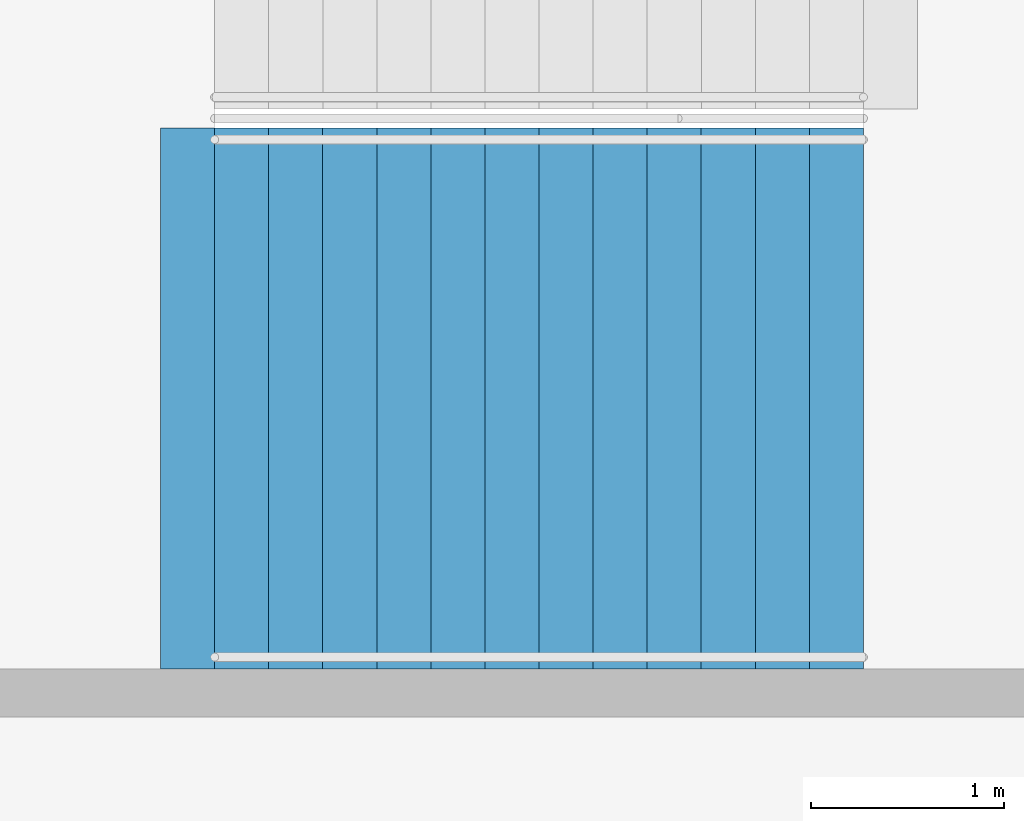
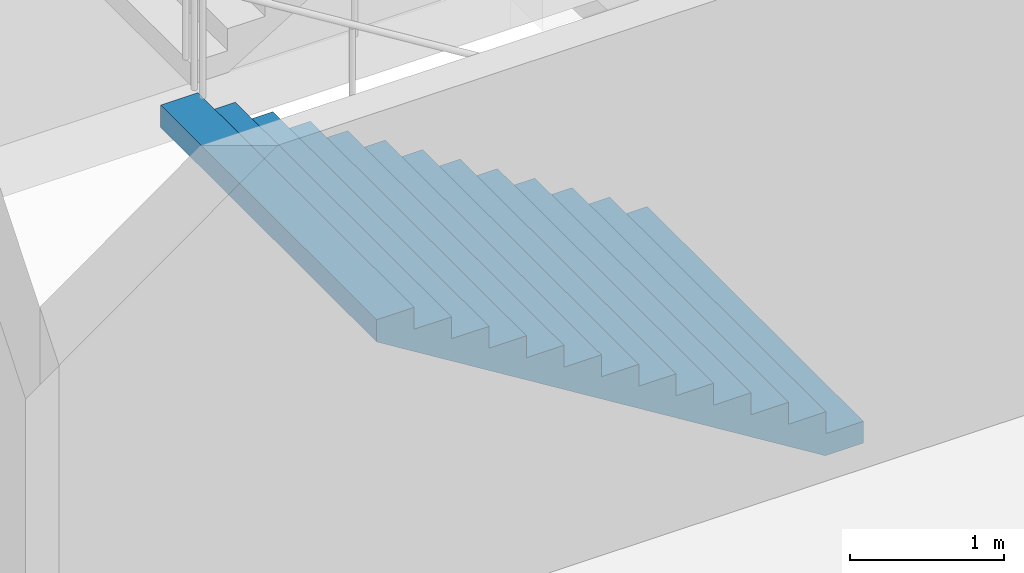
# One storey, part 113 of 199: 1 stair flight, 1 element without a shape of its own.
"""IFC4 building model written with IfcOpenShell, lengths in metres."""

import ifcopenshell
import ifcopenshell.guid

model = None  # the IFC model being written
_history = None  # IfcOwnerHistory: only IFC2X3 demands one
_inside = {}  # id of a spatial element -> (the spatial element, [elements in it])
_under = {}  # id of a project, library or spatial element -> (it, [spatial elements below it])
_declared = {}  # id of a project -> (the project, [libraries it declares])
_typed = {}  # id of a type object -> (the type object, [elements of that type])
_made_of = {}  # id of a material, layer set ... -> (it, [elements and type objects made of it])


def new_model(schema):
    """Start an empty IFC model of exactly this schema.

    Asked for "IFC4X3", IfcOpenShell would pick the latest addendum, in which some entities
    have other attributes; the version numbers below select the first issue.
    IFC2X3 requires an IfcOwnerHistory on every rooted entity: one is made here for all.
    """
    global model, _history
    if schema == "IFC4X3":
        model = ifcopenshell.file(schema_version=(4, 3, 0, 0))
    else:
        model = ifcopenshell.file(schema=schema)
    _inside.clear()
    _under.clear()
    _declared.clear()
    _typed.clear()
    _made_of.clear()
    _history = None
    if model.schema == "IFC2X3":
        org = make("IfcOrganization", Name="unknown")
        user = make(
            "IfcPersonAndOrganization",
            ThePerson=make("IfcPerson", FamilyName="unknown"),
            TheOrganization=org,
        )
        app = make(
            "IfcApplication",
            ApplicationDeveloper=org,
            Version="unknown",
            ApplicationFullName="unknown",
            ApplicationIdentifier="unknown",
        )
        _history = make(
            "IfcOwnerHistory",
            OwningUser=user,
            OwningApplication=app,
            ChangeAction="ADDED",
            CreationDate=0,
        )
    return model


def make(cls, **values):
    """One entity of the class cls with the attributes given. An attribute that is None is left unset."""
    return model.create_entity(
        cls, **{name: value for name, value in values.items() if value is not None}
    )


def rooted(cls, **values):
    """An entity with a GlobalId (a new one), such as an element, a storey or a relation."""
    return make(cls, GlobalId=ifcopenshell.guid.new(), OwnerHistory=_history, **values)


def si_unit(unit_type, name, prefix=None):
    """IfcSIUnit, for example si_unit("LENGTHUNIT", "METRE", prefix="MILLI")."""
    return make("IfcSIUnit", UnitType=unit_type, Prefix=prefix, Name=name)


def assignment(units):
    """IfcUnitAssignment: the units of a project."""
    return None if units is None else make("IfcUnitAssignment", Units=units)


def point(xyz):
    """IfcCartesianPoint."""
    return None if xyz is None else make("IfcCartesianPoint", Coordinates=xyz)


def direction(xyz):
    """IfcDirection."""
    return None if xyz is None else make("IfcDirection", DirectionRatios=xyz)


def frame(location, z_axis=None, x_axis=None):
    """IfcAxis2Placement3D, a coordinate frame: its origin and axes. An axis left out is left unset."""
    return make(
        "IfcAxis2Placement3D",
        Location=point(location),
        Axis=direction(z_axis),
        RefDirection=direction(x_axis),
    )


def origin():
    """The frame at (0, 0, 0) with its axes left unset."""
    return frame((0.0, 0.0, 0.0))


def place(relative_to, where):
    """IfcLocalPlacement: puts the frame where relative to a parent placement (None: the world)."""
    return make(
        "IfcLocalPlacement", PlacementRelTo=relative_to, RelativePlacement=where
    )


def context(
    kind, dimensions, precision=None, world=None, true_north=None, identifier=None
):
    """IfcGeometricRepresentationContext, for example the 3D "Model" context."""
    return make(
        "IfcGeometricRepresentationContext",
        ContextIdentifier=identifier,
        ContextType=kind,
        CoordinateSpaceDimension=dimensions,
        Precision=precision,
        WorldCoordinateSystem=world,
        TrueNorth=true_north,
    )


def subcontext(parent, identifier, kind, view, scale=None):
    """IfcGeometricRepresentationSubContext, for example "Body" below "Model"."""
    return make(
        "IfcGeometricRepresentationSubContext",
        ContextIdentifier=identifier,
        ContextType=kind,
        ParentContext=parent,
        TargetScale=scale,
        TargetView=view,
    )


def project(units=None, contexts=None):
    """IfcProject with its units and contexts."""
    return rooted(
        "IfcProject",
        Name="project",
        RepresentationContexts=contexts,
        UnitsInContext=assignment(units),
    )


def spatial(cls, under=None, at=None, **own):
    """A site, building, storey or space (cls), placed at a placement, below another one or the project."""
    s = rooted(cls, ObjectPlacement=at, **own)
    if under is not None:
        _under.setdefault(under.id(), (under, []))[1].append(s)
    return s


def faces_of(points, faces, orient=None, outer=None):
    """IfcFace entities. A face is a list of loops; a loop is a list of indices into points, from 0.

    orient and outer hold one flag for each loop. By default every Orientation is true, the
    first loop of a face is its IfcFaceOuterBound and the others are IfcFaceBound.
    """
    made = []
    for i, loops in enumerate(faces):
        bounds = []
        for j, loop in enumerate(loops):
            is_outer = j == 0 if outer is None else outer[i][j]
            bounds.append(
                make(
                    "IfcFaceOuterBound" if is_outer else "IfcFaceBound",
                    Bound=make("IfcPolyLoop", Polygon=[points[k] for k in loop]),
                    Orientation=True if orient is None else orient[i][j],
                )
            )
        made.append(make("IfcFace", Bounds=bounds))
    return made


def faceted_brep(points, faces, orient=None, outer=None, voids=None):
    """IfcFacetedBrep: a solid bounded by flat faces; with voids (closed shells), ...WithVoids."""
    shared = [point(p) for p in points]
    hull = make("IfcClosedShell", CfsFaces=faces_of(shared, faces, orient, outer))
    if voids is None:
        return make("IfcFacetedBrep", Outer=hull)
    return make(
        "IfcFacetedBrepWithVoids",
        Outer=hull,
        Voids=[
            make(cls, CfsFaces=faces_of(shared, fs, o, b)) for cls, fs, o, b in voids
        ],
    )


def shape(context_of_items, identifier, shape_type, items):
    """IfcShapeRepresentation: the items that make up one representation, for example the "Body"."""
    return make(
        "IfcShapeRepresentation",
        ContextOfItems=context_of_items,
        RepresentationIdentifier=identifier,
        RepresentationType=shape_type,
        Items=items,
    )


def material(Name=None, Category=None):
    """IfcMaterial."""
    return make("IfcMaterial", Name=Name, Category=Category)


def made_of(thing, what):
    """Note that an element or type object is made of a material, layer set ...; save() writes the relation."""
    if what is not None:
        _made_of.setdefault(what.id(), (what, []))[1].append(thing)
    return thing


def type_object(cls, material=None, **own):
    """A type object (cls), such as IfcWallType, which elements share."""
    return made_of(rooted(cls, **own), material)


def element(
    cls,
    number,
    at=None,
    inside=None,
    cuts=None,
    type_object=None,
    material=None,
    context=None,
    identifier="Body",
    shape_type=None,
    held_by="IfcProductDefinitionShape",
    body=None,
    shapes=None,
    **own,
):
    """One element of the class cls, such as IfcWall. Its Tag is "e" and its number.

    at: its placement. inside: the storey or other place that contains it. cuts: it is an
    opening in that element (IfcRelVoidsElement). A single representation is given by context,
    identifier, shape_type and body (its items); several are given by shapes. held_by: the class
    of the entity that holds the representations. save() writes the other relations.
    """
    e = rooted(cls, Tag="e%d" % number, ObjectPlacement=at, **own)
    if body is not None:
        shapes = [shape(context, identifier, shape_type, body)]
    if shapes is not None:
        e.Representation = make(held_by, Representations=shapes)
    if inside is not None:
        _inside.setdefault(inside.id(), (inside, []))[1].append(e)
    if cuts is not None:
        rooted(
            "IfcRelVoidsElement", RelatingBuildingElement=cuts, RelatedOpeningElement=e
        )
    if type_object is not None:
        _typed.setdefault(type_object.id(), (type_object, []))[1].append(e)
    return made_of(e, material)


def aggregate(whole, parts):
    """IfcRelAggregates: a whole, such as a stair, and the parts it consists of."""
    return rooted("IfcRelAggregates", RelatingObject=whole, RelatedObjects=parts)


def save(model, path):
    """Write the relations noted so far, then the file.

    IfcRelAggregates (storeys below a building ...), IfcRelContainedInSpatialStructure (elements
    in a storey), IfcRelDefinesByType, IfcRelAssociatesMaterial and IfcRelDeclares: one each for
    every whole, place, type object, material and project.
    """
    for whole, parts in _under.values():
        aggregate(whole, parts)
    for where, things in _inside.values():
        rooted(
            "IfcRelContainedInSpatialStructure",
            RelatedElements=things,
            RelatingStructure=where,
        )
    for kind, things in _typed.values():
        rooted("IfcRelDefinesByType", RelatedObjects=things, RelatingType=kind)
    for what, things in _made_of.values():
        rooted("IfcRelAssociatesMaterial", RelatedObjects=things, RelatingMaterial=what)
    for by, libraries in _declared.values():
        rooted("IfcRelDeclares", RelatingContext=by, RelatedDefinitions=libraries)
    model.write(path)


model = new_model("IFC4")

# Units and contexts
model_context = context("Model", 3, precision=1e-05, world=origin(), true_north=direction((0.0, 1.0)))
body_context = subcontext(model_context, "Body", "Model", "MODEL_VIEW")
ifc_project = project(units=[si_unit("LENGTHUNIT", "METRE"), si_unit("AREAUNIT", "SQUARE_METRE"), si_unit("VOLUMEUNIT", "CUBIC_METRE"), si_unit("PLANEANGLEUNIT", "RADIAN"), si_unit("MASSUNIT", "GRAM", prefix="KILO")], contexts=[model_context])

# Site, building, storey
site_placement = place(None, origin())
site = spatial("IfcSite", under=ifc_project, at=site_placement, CompositionType="ELEMENT")
building_placement = place(site_placement, origin())
building = spatial("IfcBuilding", under=site, at=building_placement, Name="Ogive Plaza Stadium", CompositionType="ELEMENT")
storey_placement = place(building_placement, frame((0.0, 0.0, 9.0)))
storey = spatial("IfcBuildingStorey", under=building, at=storey_placement, Name="L02", CompositionType="ELEMENT", Elevation=9.0)

# Stair, stair flight
ifc_material_1 = material(Name="Concrete C40/50", Category="concrete")
stair_type = type_object("IfcStairType", Name="Exit stair", PredefinedType="STRAIGHT_RUN_STAIR", material=ifc_material_1)
stair_placement = place(storey_placement, origin())
stair = element("IfcStair", 1, at=stair_placement, inside=storey, type_object=stair_type, Name="Exit stair ST22B L02 to L03", PredefinedType="STRAIGHT_RUN_STAIR")
ifc_material_2 = material(Name="Concrete C40/50", Category="concrete")
stair_flight_type = type_object("IfcStairFlightType", Name="Exit stair flight", PredefinedType="STRAIGHT", material=ifc_material_2)
stair_flight_placement = place(storey_placement, frame((-76.35009765625, -41.925048828125, 0.0), z_axis=(0.0, 0.0, 1.0), x_axis=(-1.0, 0.0, 0.0)))
stair_flight = element("IfcStairFlight", 2, at=stair_flight_placement, type_object=stair_flight_type, Name="ST22B flight 1", NumberOfRisers=13, NumberOfTreads=12, PredefinedType="STRAIGHT", RiserHeight=0.173076923, TreadLength=0.28, context=body_context, shape_type="Brep", body=[
    faceted_brep([(0.28515625, -1.39990234375, 0.0), (3.639892578125, -1.39990234375, 2.07373046875), (3.639892578125, -1.39990234375, 2.25), (3.360107421875, -1.39990234375, 2.25), (3.360107421875, -1.39990234375, 2.076904296875), (3.080078125, -1.39990234375, 2.076904296875), (3.080078125, -1.39990234375, 1.90380859375), (2.800048828125, -1.39990234375, 1.90380859375), (2.800048828125, -1.39990234375, 1.730712890625), (2.52001953125, -1.39990234375, 1.730712890625), (2.52001953125, -1.39990234375, 1.5576171875), (2.239990234375, -1.39990234375, 1.5576171875), (2.239990234375, -1.39990234375, 1.384521484375), (1.9599609375, -1.39990234375, 1.384521484375), (1.9599609375, -1.39990234375, 1.21142578125), (1.679931640625, -1.39990234375, 1.21142578125), (1.679931640625, -1.39990234375, 1.03857421875), (1.39990234375, -1.39990234375, 1.03857421875), (1.39990234375, -1.39990234375, 0.865478515625), (1.1201171875, -1.39990234375, 0.865478515625), (1.1201171875, -1.39990234375, 0.6923828125), (0.840087890625, -1.39990234375, 0.6923828125), (0.840087890625, -1.39990234375, 0.519287109375), (0.56005859375, -1.39990234375, 0.519287109375), (0.56005859375, -1.39990234375, 0.34619140625), (0.280029296875, -1.39990234375, 0.34619140625), (0.280029296875, -1.39990234375, 0.173095703125), (0.0, -1.39990234375, 0.173095703125), (0.0, -1.39990234375, 0.0), (0.0, 1.39990234375, 0.0), (0.0, 1.39990234375, 0.173095703125), (0.280029296875, 1.39990234375, 0.173095703125), (0.280029296875, 1.39990234375, 0.34619140625), (0.56005859375, 1.39990234375, 0.34619140625), (0.56005859375, 1.39990234375, 0.519287109375), (0.840087890625, 1.39990234375, 0.519287109375), (0.840087890625, 1.39990234375, 0.6923828125), (1.1201171875, 1.39990234375, 0.6923828125), (1.1201171875, 1.39990234375, 0.865478515625), (1.39990234375, 1.39990234375, 0.865478515625), (1.39990234375, 1.39990234375, 1.03857421875), (1.679931640625, 1.39990234375, 1.03857421875), (1.679931640625, 1.39990234375, 1.21142578125), (1.9599609375, 1.39990234375, 1.21142578125), (1.9599609375, 1.39990234375, 1.384521484375), (2.239990234375, 1.39990234375, 1.384521484375), (2.239990234375, 1.39990234375, 1.5576171875), (2.52001953125, 1.39990234375, 1.5576171875), (2.52001953125, 1.39990234375, 1.730712890625), (2.800048828125, 1.39990234375, 1.730712890625), (2.800048828125, 1.39990234375, 1.90380859375), (3.080078125, 1.39990234375, 1.90380859375), (3.080078125, 1.39990234375, 2.076904296875), (3.360107421875, 1.39990234375, 2.076904296875), (3.360107421875, 1.39990234375, 2.25), (3.639892578125, 1.39990234375, 2.25), (3.639892578125, 1.39990234375, 2.07373046875), (0.28515625, 1.39990234375, 0.0), (0.28515625, -1.0888671875, 0.0), (3.639892578125, -1.0888671875, 2.07373046875), (0.28515625, -0.77783203125, 0.0), (3.639892578125, -0.77783203125, 2.07373046875), (0.28515625, -0.466796875, 0.0), (3.639892578125, -0.466796875, 2.07373046875), (0.28515625, -0.155517578125, 0.0), (3.639892578125, -0.155517578125, 2.07373046875), (0.28515625, 0.155517578125, 0.0), (3.639892578125, 0.155517578125, 2.07373046875), (0.28515625, 0.466796875, 0.0), (3.639892578125, 0.466796875, 2.07373046875), (0.28515625, 0.77783203125, 0.0), (3.639892578125, 0.77783203125, 2.07373046875), (0.28515625, 1.0888671875, 0.0), (3.639892578125, 1.0888671875, 2.07373046875), (3.639892578125, -1.0888671875, 2.25), (3.639892578125, -0.77783203125, 2.25), (3.639892578125, -0.466796875, 2.25), (3.639892578125, -0.155517578125, 2.25), (3.639892578125, 0.155517578125, 2.25), (3.639892578125, 0.466796875, 2.25), (3.639892578125, 0.77783203125, 2.25), (3.639892578125, 1.0888671875, 2.25), (3.360107421875, -1.0888671875, 2.25), (3.360107421875, -0.77783203125, 2.25), (3.360107421875, -0.466796875, 2.25), (3.360107421875, -0.155517578125, 2.25), (3.360107421875, 0.155517578125, 2.25), (3.360107421875, 0.466796875, 2.25), (3.360107421875, 0.77783203125, 2.25), (3.360107421875, 1.0888671875, 2.25), (3.360107421875, -1.0888671875, 2.076904296875), (3.360107421875, -0.77783203125, 2.076904296875), (3.360107421875, -0.466796875, 2.076904296875), (3.360107421875, -0.155517578125, 2.076904296875), (3.360107421875, 0.155517578125, 2.076904296875), (3.360107421875, 0.466796875, 2.076904296875), (3.360107421875, 0.77783203125, 2.076904296875), (3.360107421875, 1.0888671875, 2.076904296875), (3.080078125, -1.0888671875, 2.076904296875), (3.080078125, -0.77783203125, 2.076904296875), (3.080078125, -0.466796875, 2.076904296875), (3.080078125, -0.155517578125, 2.076904296875), (3.080078125, 0.155517578125, 2.076904296875), (3.080078125, 0.466796875, 2.076904296875), (3.080078125, 0.77783203125, 2.076904296875), (3.080078125, 1.0888671875, 2.076904296875), (3.080078125, -1.0888671875, 1.90380859375), (3.080078125, -0.77783203125, 1.90380859375), (3.080078125, -0.466796875, 1.90380859375), (3.080078125, -0.155517578125, 1.90380859375), (3.080078125, 0.155517578125, 1.90380859375), (3.080078125, 0.466796875, 1.90380859375), (3.080078125, 0.77783203125, 1.90380859375), (3.080078125, 1.0888671875, 1.90380859375), (2.800048828125, -1.0888671875, 1.90380859375), (2.800048828125, -0.77783203125, 1.90380859375), (2.800048828125, -0.466796875, 1.90380859375), (2.800048828125, -0.155517578125, 1.90380859375), (2.800048828125, 0.155517578125, 1.90380859375), (2.800048828125, 0.466796875, 1.90380859375), (2.800048828125, 0.77783203125, 1.90380859375), (2.800048828125, 1.0888671875, 1.90380859375), (2.800048828125, -1.0888671875, 1.730712890625), (2.800048828125, -0.77783203125, 1.730712890625), (2.800048828125, -0.466796875, 1.730712890625), (2.800048828125, -0.155517578125, 1.730712890625), (2.800048828125, 0.155517578125, 1.730712890625), (2.800048828125, 0.466796875, 1.730712890625), (2.800048828125, 0.77783203125, 1.730712890625), (2.800048828125, 1.0888671875, 1.730712890625), (2.52001953125, -1.0888671875, 1.730712890625), (2.52001953125, -0.77783203125, 1.730712890625), (2.52001953125, -0.466796875, 1.730712890625), (2.52001953125, -0.155517578125, 1.730712890625), (2.52001953125, 0.155517578125, 1.730712890625), (2.52001953125, 0.466796875, 1.730712890625), (2.52001953125, 0.77783203125, 1.730712890625), (2.52001953125, 1.0888671875, 1.730712890625), (2.52001953125, -1.0888671875, 1.5576171875), (2.52001953125, -0.77783203125, 1.5576171875), (2.52001953125, -0.466796875, 1.5576171875), (2.52001953125, -0.155517578125, 1.5576171875), (2.52001953125, 0.155517578125, 1.5576171875), (2.52001953125, 0.466796875, 1.5576171875), (2.52001953125, 0.77783203125, 1.5576171875), (2.52001953125, 1.0888671875, 1.5576171875), (2.239990234375, -1.0888671875, 1.5576171875), (2.239990234375, -0.77783203125, 1.5576171875), (2.239990234375, -0.466796875, 1.5576171875), (2.239990234375, -0.155517578125, 1.5576171875), (2.239990234375, 0.155517578125, 1.5576171875), (2.239990234375, 0.466796875, 1.5576171875), (2.239990234375, 0.77783203125, 1.5576171875), (2.239990234375, 1.0888671875, 1.5576171875), (2.239990234375, -1.0888671875, 1.384521484375), (2.239990234375, -0.77783203125, 1.384521484375), (2.239990234375, -0.466796875, 1.384521484375), (2.239990234375, -0.155517578125, 1.384521484375), (2.239990234375, 0.155517578125, 1.384521484375), (2.239990234375, 0.466796875, 1.384521484375), (2.239990234375, 0.77783203125, 1.384521484375), (2.239990234375, 1.0888671875, 1.384521484375), (1.9599609375, -1.0888671875, 1.384521484375), (1.9599609375, -0.77783203125, 1.384521484375), (1.9599609375, -0.466796875, 1.384521484375), (1.9599609375, -0.155517578125, 1.384521484375), (1.9599609375, 0.155517578125, 1.384521484375), (1.9599609375, 0.466796875, 1.384521484375), (1.9599609375, 0.77783203125, 1.384521484375), (1.9599609375, 1.0888671875, 1.384521484375), (1.9599609375, -1.0888671875, 1.21142578125), (1.9599609375, -0.77783203125, 1.21142578125), (1.9599609375, -0.466796875, 1.21142578125), (1.9599609375, -0.155517578125, 1.21142578125), (1.9599609375, 0.155517578125, 1.21142578125), (1.9599609375, 0.466796875, 1.21142578125), (1.9599609375, 0.77783203125, 1.21142578125), (1.9599609375, 1.0888671875, 1.21142578125), (1.679931640625, -1.0888671875, 1.21142578125), (1.679931640625, -0.77783203125, 1.21142578125), (1.679931640625, -0.466796875, 1.21142578125), (1.679931640625, -0.155517578125, 1.21142578125), (1.679931640625, 0.155517578125, 1.21142578125), (1.679931640625, 0.466796875, 1.21142578125), (1.679931640625, 0.77783203125, 1.21142578125), (1.679931640625, 1.0888671875, 1.21142578125), (1.679931640625, -1.0888671875, 1.03857421875), (1.679931640625, -0.77783203125, 1.03857421875), (1.679931640625, -0.466796875, 1.03857421875), (1.679931640625, -0.155517578125, 1.03857421875), (1.679931640625, 0.155517578125, 1.03857421875), (1.679931640625, 0.466796875, 1.03857421875), (1.679931640625, 0.77783203125, 1.03857421875), (1.679931640625, 1.0888671875, 1.03857421875), (1.39990234375, -1.0888671875, 1.03857421875), (1.39990234375, -0.77783203125, 1.03857421875), (1.39990234375, -0.466796875, 1.03857421875), (1.39990234375, -0.155517578125, 1.03857421875), (1.39990234375, 0.155517578125, 1.03857421875), (1.39990234375, 0.466796875, 1.03857421875), (1.39990234375, 0.77783203125, 1.03857421875), (1.39990234375, 1.0888671875, 1.03857421875), (1.39990234375, -1.0888671875, 0.865478515625), (1.39990234375, -0.77783203125, 0.865478515625), (1.39990234375, -0.466796875, 0.865478515625), (1.39990234375, -0.155517578125, 0.865478515625), (1.39990234375, 0.155517578125, 0.865478515625), (1.39990234375, 0.466796875, 0.865478515625), (1.39990234375, 0.77783203125, 0.865478515625), (1.39990234375, 1.0888671875, 0.865478515625), (1.1201171875, -1.0888671875, 0.865478515625), (1.1201171875, -0.77783203125, 0.865478515625), (1.1201171875, -0.466796875, 0.865478515625), (1.1201171875, -0.155517578125, 0.865478515625), (1.1201171875, 0.155517578125, 0.865478515625), (1.1201171875, 0.466796875, 0.865478515625), (1.1201171875, 0.77783203125, 0.865478515625), (1.1201171875, 1.0888671875, 0.865478515625), (1.1201171875, -1.0888671875, 0.6923828125), (1.1201171875, -0.77783203125, 0.6923828125), (1.1201171875, -0.466796875, 0.6923828125), (1.1201171875, -0.155517578125, 0.6923828125), (1.1201171875, 0.155517578125, 0.6923828125), (1.1201171875, 0.466796875, 0.6923828125), (1.1201171875, 0.77783203125, 0.6923828125), (1.1201171875, 1.0888671875, 0.6923828125), (0.840087890625, -1.0888671875, 0.6923828125), (0.840087890625, -0.77783203125, 0.6923828125), (0.840087890625, -0.466796875, 0.6923828125), (0.840087890625, -0.155517578125, 0.6923828125), (0.840087890625, 0.155517578125, 0.6923828125), (0.840087890625, 0.466796875, 0.6923828125), (0.840087890625, 0.77783203125, 0.6923828125), (0.840087890625, 1.0888671875, 0.6923828125), (0.840087890625, -1.0888671875, 0.519287109375), (0.840087890625, -0.77783203125, 0.519287109375), (0.840087890625, -0.466796875, 0.519287109375), (0.840087890625, -0.155517578125, 0.519287109375), (0.840087890625, 0.155517578125, 0.519287109375), (0.840087890625, 0.466796875, 0.519287109375), (0.840087890625, 0.77783203125, 0.519287109375), (0.840087890625, 1.0888671875, 0.519287109375), (0.56005859375, -1.0888671875, 0.519287109375), (0.56005859375, -0.77783203125, 0.519287109375), (0.56005859375, -0.466796875, 0.519287109375), (0.56005859375, -0.155517578125, 0.519287109375), (0.56005859375, 0.155517578125, 0.519287109375), (0.56005859375, 0.466796875, 0.519287109375), (0.56005859375, 0.77783203125, 0.519287109375), (0.56005859375, 1.0888671875, 0.519287109375), (0.56005859375, -1.0888671875, 0.34619140625), (0.56005859375, -0.77783203125, 0.34619140625), (0.56005859375, -0.466796875, 0.34619140625), (0.56005859375, -0.155517578125, 0.34619140625), (0.56005859375, 0.155517578125, 0.34619140625), (0.56005859375, 0.466796875, 0.34619140625), (0.56005859375, 0.77783203125, 0.34619140625), (0.56005859375, 1.0888671875, 0.34619140625), (0.280029296875, -1.0888671875, 0.34619140625), (0.280029296875, -0.77783203125, 0.34619140625), (0.280029296875, -0.466796875, 0.34619140625), (0.280029296875, -0.155517578125, 0.34619140625), (0.280029296875, 0.155517578125, 0.34619140625), (0.280029296875, 0.466796875, 0.34619140625), (0.280029296875, 0.77783203125, 0.34619140625), (0.280029296875, 1.0888671875, 0.34619140625), (0.280029296875, -1.0888671875, 0.173095703125), (0.280029296875, -0.77783203125, 0.173095703125), (0.280029296875, -0.466796875, 0.173095703125), (0.280029296875, -0.155517578125, 0.173095703125), (0.280029296875, 0.155517578125, 0.173095703125), (0.280029296875, 0.466796875, 0.173095703125), (0.280029296875, 0.77783203125, 0.173095703125), (0.280029296875, 1.0888671875, 0.173095703125), (0.0, -1.0888671875, 0.173095703125), (0.0, -0.77783203125, 0.173095703125), (0.0, -0.466796875, 0.173095703125), (0.0, -0.155517578125, 0.173095703125), (0.0, 0.155517578125, 0.173095703125), (0.0, 0.466796875, 0.173095703125), (0.0, 0.77783203125, 0.173095703125), (0.0, 1.0888671875, 0.173095703125), (0.0, -1.0888671875, 0.0), (0.0, -0.77783203125, 0.0), (0.0, -0.466796875, 0.0), (0.0, -0.155517578125, 0.0), (0.0, 0.155517578125, 0.0), (0.0, 0.466796875, 0.0), (0.0, 0.77783203125, 0.0), (0.0, 1.0888671875, 0.0)], [[[0, 1, 2, 3, 4, 5, 6, 7, 8, 9, 10, 11, 12, 13, 14, 15, 16, 17, 18, 19, 20, 21, 22, 23, 24, 25, 26, 27, 28]], [[29, 30, 31, 32, 33, 34, 35, 36, 37, 38, 39, 40, 41, 42, 43, 44, 45, 46, 47, 48, 49, 50, 51, 52, 53, 54, 55, 56, 57]], [[0, 58, 59, 1]], [[58, 60, 61, 59]], [[60, 62, 63, 61]], [[62, 64, 65, 63]], [[64, 66, 67, 65]], [[66, 68, 69, 67]], [[68, 70, 71, 69]], [[70, 72, 73, 71]], [[72, 57, 56, 73]], [[1, 59, 74, 2]], [[59, 61, 75, 74]], [[61, 63, 76, 75]], [[63, 65, 77, 76]], [[65, 67, 78, 77]], [[67, 69, 79, 78]], [[69, 71, 80, 79]], [[71, 73, 81, 80]], [[73, 56, 55, 81]], [[2, 74, 82, 3]], [[74, 75, 83, 82]], [[75, 76, 84, 83]], [[76, 77, 85, 84]], [[77, 78, 86, 85]], [[78, 79, 87, 86]], [[79, 80, 88, 87]], [[80, 81, 89, 88]], [[81, 55, 54, 89]], [[3, 82, 90, 4]], [[82, 83, 91, 90]], [[83, 84, 92, 91]], [[84, 85, 93, 92]], [[85, 86, 94, 93]], [[86, 87, 95, 94]], [[87, 88, 96, 95]], [[88, 89, 97, 96]], [[89, 54, 53, 97]], [[4, 90, 98, 5]], [[90, 91, 99, 98]], [[91, 92, 100, 99]], [[92, 93, 101, 100]], [[93, 94, 102, 101]], [[94, 95, 103, 102]], [[95, 96, 104, 103]], [[96, 97, 105, 104]], [[97, 53, 52, 105]], [[5, 98, 106, 6]], [[98, 99, 107, 106]], [[99, 100, 108, 107]], [[100, 101, 109, 108]], [[101, 102, 110, 109]], [[102, 103, 111, 110]], [[103, 104, 112, 111]], [[104, 105, 113, 112]], [[105, 52, 51, 113]], [[6, 106, 114, 7]], [[106, 107, 115, 114]], [[107, 108, 116, 115]], [[108, 109, 117, 116]], [[109, 110, 118, 117]], [[110, 111, 119, 118]], [[111, 112, 120, 119]], [[112, 113, 121, 120]], [[113, 51, 50, 121]], [[7, 114, 122, 8]], [[114, 115, 123, 122]], [[115, 116, 124, 123]], [[116, 117, 125, 124]], [[117, 118, 126, 125]], [[118, 119, 127, 126]], [[119, 120, 128, 127]], [[120, 121, 129, 128]], [[121, 50, 49, 129]], [[8, 122, 130, 9]], [[122, 123, 131, 130]], [[123, 124, 132, 131]], [[124, 125, 133, 132]], [[125, 126, 134, 133]], [[126, 127, 135, 134]], [[127, 128, 136, 135]], [[128, 129, 137, 136]], [[129, 49, 48, 137]], [[9, 130, 138, 10]], [[130, 131, 139, 138]], [[131, 132, 140, 139]], [[132, 133, 141, 140]], [[133, 134, 142, 141]], [[134, 135, 143, 142]], [[135, 136, 144, 143]], [[136, 137, 145, 144]], [[137, 48, 47, 145]], [[10, 138, 146, 11]], [[138, 139, 147, 146]], [[139, 140, 148, 147]], [[140, 141, 149, 148]], [[141, 142, 150, 149]], [[142, 143, 151, 150]], [[143, 144, 152, 151]], [[144, 145, 153, 152]], [[145, 47, 46, 153]], [[11, 146, 154, 12]], [[146, 147, 155, 154]], [[147, 148, 156, 155]], [[148, 149, 157, 156]], [[149, 150, 158, 157]], [[150, 151, 159, 158]], [[151, 152, 160, 159]], [[152, 153, 161, 160]], [[153, 46, 45, 161]], [[12, 154, 162, 13]], [[154, 155, 163, 162]], [[155, 156, 164, 163]], [[156, 157, 165, 164]], [[157, 158, 166, 165]], [[158, 159, 167, 166]], [[159, 160, 168, 167]], [[160, 161, 169, 168]], [[161, 45, 44, 169]], [[13, 162, 170, 14]], [[162, 163, 171, 170]], [[163, 164, 172, 171]], [[164, 165, 173, 172]], [[165, 166, 174, 173]], [[166, 167, 175, 174]], [[167, 168, 176, 175]], [[168, 169, 177, 176]], [[169, 44, 43, 177]], [[14, 170, 178, 15]], [[170, 171, 179, 178]], [[171, 172, 180, 179]], [[172, 173, 181, 180]], [[173, 174, 182, 181]], [[174, 175, 183, 182]], [[175, 176, 184, 183]], [[176, 177, 185, 184]], [[177, 43, 42, 185]], [[15, 178, 186, 16]], [[178, 179, 187, 186]], [[179, 180, 188, 187]], [[180, 181, 189, 188]], [[181, 182, 190, 189]], [[182, 183, 191, 190]], [[183, 184, 192, 191]], [[184, 185, 193, 192]], [[185, 42, 41, 193]], [[16, 186, 194, 17]], [[186, 187, 195, 194]], [[187, 188, 196, 195]], [[188, 189, 197, 196]], [[189, 190, 198, 197]], [[190, 191, 199, 198]], [[191, 192, 200, 199]], [[192, 193, 201, 200]], [[193, 41, 40, 201]], [[17, 194, 202, 18]], [[194, 195, 203, 202]], [[195, 196, 204, 203]], [[196, 197, 205, 204]], [[197, 198, 206, 205]], [[198, 199, 207, 206]], [[199, 200, 208, 207]], [[200, 201, 209, 208]], [[201, 40, 39, 209]], [[18, 202, 210, 19]], [[202, 203, 211, 210]], [[203, 204, 212, 211]], [[204, 205, 213, 212]], [[205, 206, 214, 213]], [[206, 207, 215, 214]], [[207, 208, 216, 215]], [[208, 209, 217, 216]], [[209, 39, 38, 217]], [[19, 210, 218, 20]], [[210, 211, 219, 218]], [[211, 212, 220, 219]], [[212, 213, 221, 220]], [[213, 214, 222, 221]], [[214, 215, 223, 222]], [[215, 216, 224, 223]], [[216, 217, 225, 224]], [[217, 38, 37, 225]], [[20, 218, 226, 21]], [[218, 219, 227, 226]], [[219, 220, 228, 227]], [[220, 221, 229, 228]], [[221, 222, 230, 229]], [[222, 223, 231, 230]], [[223, 224, 232, 231]], [[224, 225, 233, 232]], [[225, 37, 36, 233]], [[21, 226, 234, 22]], [[226, 227, 235, 234]], [[227, 228, 236, 235]], [[228, 229, 237, 236]], [[229, 230, 238, 237]], [[230, 231, 239, 238]], [[231, 232, 240, 239]], [[232, 233, 241, 240]], [[233, 36, 35, 241]], [[22, 234, 242, 23]], [[234, 235, 243, 242]], [[235, 236, 244, 243]], [[236, 237, 245, 244]], [[237, 238, 246, 245]], [[238, 239, 247, 246]], [[239, 240, 248, 247]], [[240, 241, 249, 248]], [[241, 35, 34, 249]], [[23, 242, 250, 24]], [[242, 243, 251, 250]], [[243, 244, 252, 251]], [[244, 245, 253, 252]], [[245, 246, 254, 253]], [[246, 247, 255, 254]], [[247, 248, 256, 255]], [[248, 249, 257, 256]], [[249, 34, 33, 257]], [[24, 250, 258, 25]], [[250, 251, 259, 258]], [[251, 252, 260, 259]], [[252, 253, 261, 260]], [[253, 254, 262, 261]], [[254, 255, 263, 262]], [[255, 256, 264, 263]], [[256, 257, 265, 264]], [[257, 33, 32, 265]], [[25, 258, 266, 26]], [[258, 259, 267, 266]], [[259, 260, 268, 267]], [[260, 261, 269, 268]], [[261, 262, 270, 269]], [[262, 263, 271, 270]], [[263, 264, 272, 271]], [[264, 265, 273, 272]], [[265, 32, 31, 273]], [[26, 266, 274, 27]], [[266, 267, 275, 274]], [[267, 268, 276, 275]], [[268, 269, 277, 276]], [[269, 270, 278, 277]], [[270, 271, 279, 278]], [[271, 272, 280, 279]], [[272, 273, 281, 280]], [[273, 31, 30, 281]], [[27, 274, 282, 28]], [[274, 275, 283, 282]], [[275, 276, 284, 283]], [[276, 277, 285, 284]], [[277, 278, 286, 285]], [[278, 279, 287, 286]], [[279, 280, 288, 287]], [[280, 281, 289, 288]], [[281, 30, 29, 289]], [[28, 282, 58, 0]], [[282, 283, 60, 58]], [[283, 284, 62, 60]], [[284, 285, 64, 62]], [[285, 286, 66, 64]], [[286, 287, 68, 66]], [[287, 288, 70, 68]], [[288, 289, 72, 70]], [[289, 29, 57, 72]]]),
])
aggregate(stair, [stair_flight])

save(model, "model.ifc")
